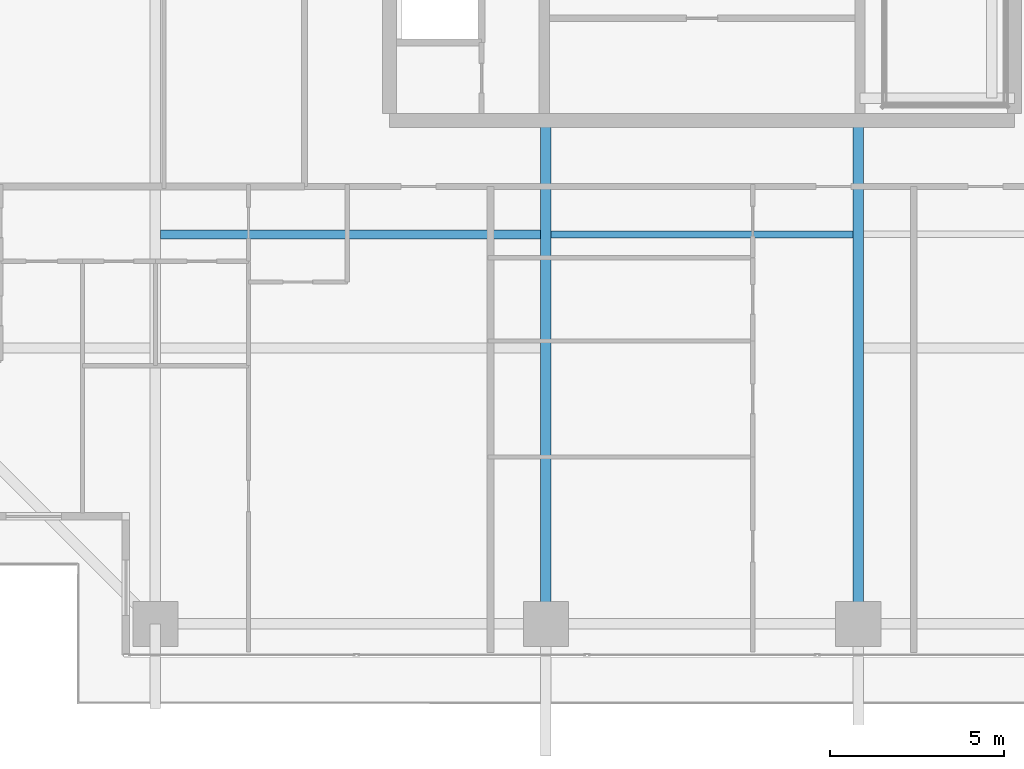
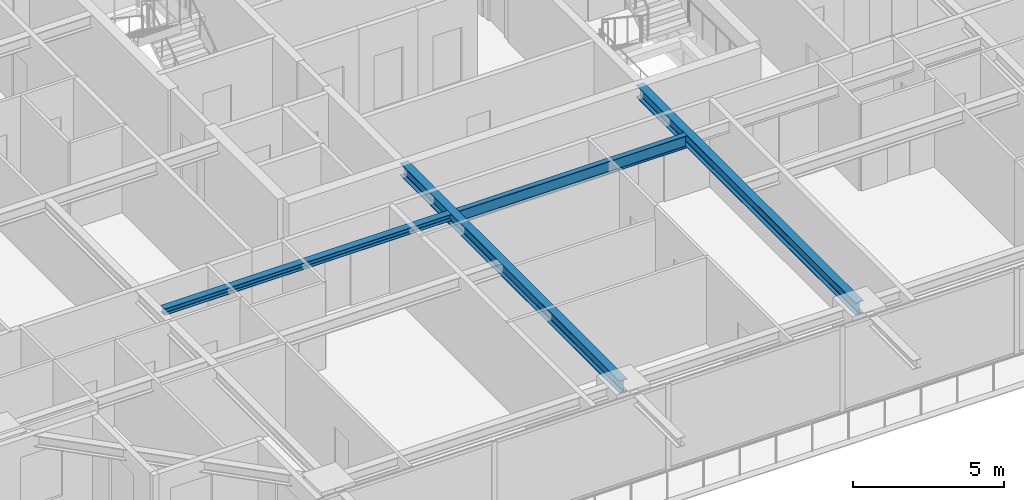
# One storey, part 7 of 38: 4 beams.
"""IFC4 building model written with IfcOpenShell, lengths in metres."""

from ifc_helpers import new_model, si_unit, direction, frame, origin, origin_2d, place, context, subcontext, project, spatial, i_section, extrude, source, transform, mapped, material, material_profile, profile_set, type_object, element, save


model = new_model("IFC4")

# Units and contexts
model_context = context("Model", 3, precision=1e-05, world=origin(), true_north=direction((0.0, 1.0)))
body_context = subcontext(model_context, "Body", "Model", "MODEL_VIEW")
ifc_project = project(units=[si_unit("LENGTHUNIT", "METRE"), si_unit("AREAUNIT", "SQUARE_METRE"), si_unit("VOLUMEUNIT", "CUBIC_METRE"), si_unit("PLANEANGLEUNIT", "RADIAN"), si_unit("MASSUNIT", "GRAM", prefix="KILO")], contexts=[model_context])

# Site, building, storey
site_placement = place(None, origin())
site = spatial("IfcSite", under=ifc_project, at=site_placement, CompositionType="ELEMENT")
building_placement = place(site_placement, origin())
building = spatial("IfcBuilding", under=site, at=building_placement, Name="Serunith Strait Residences", CompositionType="ELEMENT")
storey_placement = place(building_placement, frame((0.0, 0.0, 183.89990234375)))
storey = spatial("IfcBuildingStorey", under=building, at=storey_placement, Name="L46", CompositionType="ELEMENT", Elevation=183.89990234375)

# Beams
ifc_material = material(Name="Steel S355J2", Category="steel")
ifc_material_profile_1 = material_profile(ifc_material, i_section(OverallWidth=0.199951171875, OverallDepth=0.5, WebThickness=0.01025390625, FlangeThickness=0.01611328125, FilletRadius=0.02099609375, at=origin_2d()), Name="IPE 500")
ifc_profile_set_1 = profile_set([ifc_material_profile_1], Name="Steel S355J2")
beam_type_1 = type_object("IfcBeamType", Name="BM-IPE500", PredefinedType="JOIST", material=ifc_profile_set_1)
shared_shape_1 = source(origin(), body_context, "Body", "SweptSolid", [
    extrude(i_section(OverallWidth=0.199951171875, OverallDepth=0.5, WebThickness=0.01025390625, FlangeThickness=0.01611328125, FilletRadius=0.02099609375, at=origin_2d()), origin(), (0.0, 0.0, 1.0), 8.699951171875),
])
beam_1_placement = place(storey_placement, frame((28.050048828125, 13.52490234375, 3.237060546875), z_axis=(1.0, 0.0, 0.0), x_axis=(0.0, 1.0, 0.0)))
element("IfcBeam", 1, at=beam_1_placement, inside=storey, type_object=beam_type_1, Name="L46 Composite Floor Joist 02", PredefinedType="JOIST", context=body_context, shape_type="MappedRepresentation", body=[
    mapped(shared_shape_1, transform((0.0, 0.0, 0.0), scale=1.0)),
])
ifc_material_profile_2 = material_profile(ifc_material, i_section(OverallWidth=0.300048828125, OverallDepth=0.5, WebThickness=0.014404296875, FlangeThickness=0.028076171875, FilletRadius=0.027099609375, at=origin_2d()), Name="HEB 500")
ifc_profile_set_2 = profile_set([ifc_material_profile_2], Name="Steel S355J2")
beam_type_2 = type_object("IfcBeamType", Name="BM-HEB500", PredefinedType="BEAM", material=ifc_profile_set_2)
shared_shape_2 = source(origin(), body_context, "Body", "SweptSolid", [
    extrude(i_section(OverallWidth=0.300048828125, OverallDepth=0.5, WebThickness=0.014404296875, FlangeThickness=0.028076171875, FilletRadius=0.027099609375, at=origin_2d()), origin(), (0.0, 0.0, 1.0), 14.5),
])
for number, where, z_axis, x_axis, name in (
    (2, (27.89990234375, 16.800048828125, 3.237060546875), (0.0, -1.0, 0.0), (1.0, 0.0, 0.0), "L46 Primary Floor Girder TC-S2"),
    (3, (36.89990234375, 16.800048828125, 3.237060546875), (0.0, -1.0, 0.0), (1.0, 0.0, 0.0), "L46 Primary Floor Girder TC-S3"),
):
    element("IfcBeam", number, at=place(storey_placement, frame(where, z_axis=z_axis, x_axis=x_axis)), inside=storey, type_object=beam_type_2, Name=name, PredefinedType="BEAM", context=body_context, shape_type="MappedRepresentation", body=[
        mapped(shared_shape_2, transform((0.0, 0.0, 0.0), scale=1.0)),
    ])
ifc_material_profile_3 = material_profile(ifc_material, i_section(OverallWidth=0.260009765625, OverallDepth=0.260009765625, WebThickness=0.010009765625, FlangeThickness=0.017578125, FilletRadius=0.02392578125, at=origin_2d()), Name="HEB 260")
ifc_profile_set_3 = profile_set([ifc_material_profile_3], Name="Steel S355J2")
beam_type_3 = type_object("IfcBeamType", Name="BM-HEB260", PredefinedType="JOIST", material=ifc_profile_set_3)
shared_shape_3 = source(origin(), body_context, "Body", "SweptSolid", [
    extrude(i_section(OverallWidth=0.260009765625, OverallDepth=0.260009765625, WebThickness=0.010009765625, FlangeThickness=0.017578125, FilletRadius=0.02392578125, at=origin_2d()), origin(), (0.0, 0.0, 1.0), 10.949951171875),
])
beam_2_placement = place(storey_placement, frame((16.800048828125, 13.52490234375, 3.357177734375), z_axis=(1.0, 0.0, 0.0), x_axis=(0.0, 1.0, 0.0)))
element("IfcBeam", 4, at=beam_2_placement, inside=storey, type_object=beam_type_3, Name="L46 Composite Floor Joist 01", PredefinedType="JOIST", context=body_context, shape_type="MappedRepresentation", body=[
    mapped(shared_shape_3, transform((0.0, 0.0, 0.0), scale=1.0)),
])

save(model, "model.ifc")
